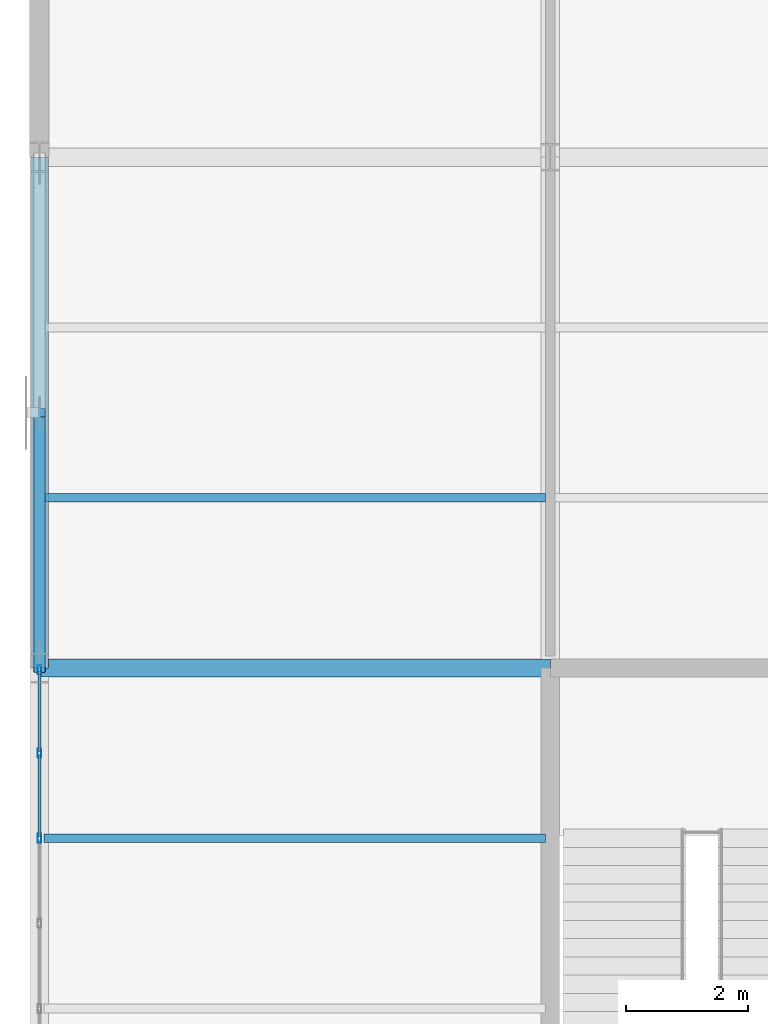
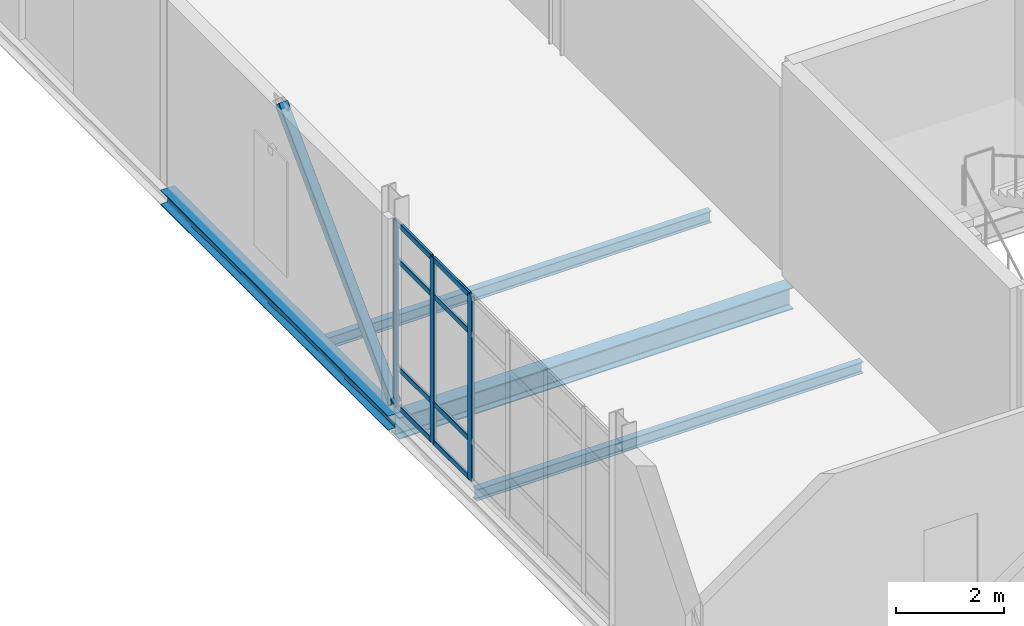
# One storey, part 61 of 145: 12 members, 4 beams, 1 element without a shape of its own.
"""IFC4 building model written with IfcOpenShell, lengths in metres."""

from ifc_helpers import new_model, si_unit, direction, frame, origin, origin_2d, place, context, subcontext, project, spatial, hollow_rectangle, i_section, extrude, material, layer, layer_set, material_profile, profile_set, type_object, element, aggregate, save


model = new_model("IFC4")

# Units and contexts
model_context = context("Model", 3, precision=1e-05, world=origin(), true_north=direction((0.0, 1.0)))
body_context = subcontext(model_context, "Body", "Model", "MODEL_VIEW")
ifc_project = project(units=[si_unit("LENGTHUNIT", "METRE"), si_unit("AREAUNIT", "SQUARE_METRE"), si_unit("VOLUMEUNIT", "CUBIC_METRE"), si_unit("PLANEANGLEUNIT", "RADIAN"), si_unit("MASSUNIT", "GRAM", prefix="KILO")], contexts=[model_context])

# Site, building, storey
site_placement = place(None, origin())
site = spatial("IfcSite", under=ifc_project, at=site_placement, CompositionType="ELEMENT")
building_placement = place(site_placement, origin())
building = spatial("IfcBuilding", under=site, at=building_placement, Name="Qalvenar Corner Mobility Hub", CompositionType="ELEMENT")
storey_placement = place(building_placement, origin())
storey = spatial("IfcBuildingStorey", under=building, at=storey_placement, Name="L00", CompositionType="ELEMENT", Elevation=0.0)

# Beams
ifc_material_1 = material(Name="Steel S355", Category="steel")
ifc_material_profile_1 = material_profile(ifc_material_1, i_section(OverallWidth=0.300048828125, OverallDepth=0.489990234375, WebThickness=0.011962890625, FlangeThickness=0.02294921875, FilletRadius=0.027099609375, at=origin_2d()), Name="HEA500")
ifc_profile_set_1 = profile_set([ifc_material_profile_1], Name="Steel S355")
beam_type_1 = type_object("IfcBeamType", Name="BM-HEA500", PredefinedType="BEAM", material=ifc_profile_set_1)
beam_1_placement = place(storey_placement, frame((0.0, 67.199951171875, -0.465087890625), z_axis=(1.0, 0.0, 0.0), x_axis=(0.0, 1.0, 0.0)))
element("IfcBeam", 1, at=beam_1_placement, inside=storey, type_object=beam_type_1, Name="Primary Steel Girder GX-0431", PredefinedType="BEAM", context=body_context, shape_type="SweptSolid", body=[
    extrude(i_section(OverallWidth=0.300048828125, OverallDepth=0.489990234375, WebThickness=0.011962890625, FlangeThickness=0.02294921875, FilletRadius=0.027099609375, at=origin_2d()), origin(), (0.0, 0.0, 1.0), 8.39990234375),
])
ifc_material_profile_2 = material_profile(ifc_material_1, i_section(OverallWidth=0.14599609375, OverallDepth=0.258056640625, WebThickness=0.006103515625, FlangeThickness=0.009033203125, FilletRadius=0.011962890625, at=origin_2d()), Name="W250x32.7")
ifc_profile_set_2 = profile_set([ifc_material_profile_2], Name="Steel S355")
beam_type_2 = type_object("IfcBeamType", Name="BM-JST250", PredefinedType="JOIST", material=ifc_profile_set_2)
for number, where, z_axis, x_axis, name in (
    (2, (0.077880859375, 64.39990234375, -0.34912109375), (1.0, 0.0, 0.0), (0.0, 1.0, 0.0), "Composite Floor Joist J-0482"),
    (3, (0.077880859375, 70.0, -0.34912109375), (1.0, 0.0, 0.0), (0.0, 1.0, 0.0), "Composite Floor Joist J-0483"),
):
    element("IfcBeam", number, at=place(storey_placement, frame(where, z_axis=z_axis, x_axis=x_axis)), inside=storey, type_object=beam_type_2, Name=name, PredefinedType="JOIST", context=body_context, shape_type="SweptSolid", body=[
        extrude(i_section(OverallWidth=0.14599609375, OverallDepth=0.258056640625, WebThickness=0.006103515625, FlangeThickness=0.009033203125, FilletRadius=0.011962890625, at=origin_2d()), origin(), (0.0, 0.0, 1.0), 8.244140625),
    ])
ifc_material_profile_3 = material_profile(ifc_material_1, i_section(OverallWidth=0.300048828125, OverallDepth=0.330078125, WebThickness=0.009521484375, FlangeThickness=0.0166015625, FilletRadius=0.027099609375, at=origin_2d()), Name="HEA340")
ifc_profile_set_3 = profile_set([ifc_material_profile_3], Name="Steel S355")
beam_type_3 = type_object("IfcBeamType", Name="BM-SPN340", PredefinedType="SPANDREL", material=ifc_profile_set_3)
beam_2_placement = place(storey_placement, frame((0.0, 67.199951171875, -0.385009765625), z_axis=(0.0, 1.0, 0.0), x_axis=(-1.0, 0.0, 0.0)))
element("IfcBeam", 4, at=beam_2_placement, inside=storey, type_object=beam_type_3, Name="Primary Steel Girder GY-0450", PredefinedType="SPANDREL", context=body_context, shape_type="SweptSolid", body=[
    extrude(i_section(OverallWidth=0.300048828125, OverallDepth=0.330078125, WebThickness=0.009521484375, FlangeThickness=0.0166015625, FilletRadius=0.027099609375, at=origin_2d()), origin(), (0.0, 0.0, 1.0), 8.400146484375),
])

# Member
ifc_material_profile_4 = material_profile(ifc_material_1, hollow_rectangle(XDim=0.199951171875, YDim=0.199951171875, WallThickness=0.008056640625, InnerFilletRadius=0.008056640625, OuterFilletRadius=0.01611328125, at=origin_2d()), Name="SHS200x200x8")
ifc_profile_set_4 = profile_set([ifc_material_profile_4], Name="Steel S355")
member_type_1 = type_object("IfcMemberType", Name="BR-RHS200", PredefinedType="BRACE", material=ifc_profile_set_4)
member_1_placement = place(storey_placement, frame((0.0, 67.199951171875, 0.02001953125), z_axis=(0.0, 0.705423542875, 0.708786022124), x_axis=(-1.0, 0.0, 0.0)))
element("IfcMember", 5, at=member_1_placement, inside=storey, type_object=member_type_1, Name="Chevron Lateral Brace BR-047", PredefinedType="BRACE", context=body_context, shape_type="SweptSolid", body=[
    extrude(hollow_rectangle(XDim=0.199951171875, YDim=0.199951171875, WallThickness=0.008056640625, InnerFilletRadius=0.008056640625, OuterFilletRadius=0.01611328125, at=origin_2d()), origin(), (0.0, 0.0, 1.0), 5.953857421875),
])

# Curtain wall, members
ifc_material_2 = material(Name="Anodised Aluminium and Low-E Glazing", Category="aluminium")
ifc_layer = layer(ifc_material_2, 0.14990234375)
ifc_layer_set = layer_set([ifc_layer], Name="Anodised Aluminium and Low-E Glazing")
curtain_wall_type = type_object("IfcCurtainWallType", Name="CW-CYC-84X45", PredefinedType="NOTDEFINED", material=ifc_layer_set)
curtain_wall_placement = place(storey_placement, origin())
curtain_wall = element("IfcCurtainWall", 6, at=curtain_wall_placement, inside=storey, type_object=curtain_wall_type, Name="Glazed Curtain Wall CW-V5-L00-W2", PredefinedType="NOTDEFINED")
ifc_material_3 = material(Name="Anodised Aluminium 6063-T6", Category="aluminium")
ifc_material_profile_5 = material_profile(ifc_material_3, hollow_rectangle(XDim=0.06005859375, YDim=0.14990234375, WallThickness=0.00390625, InnerFilletRadius=0.00390625, OuterFilletRadius=0.008056640625, at=origin_2d()), Name="RHS150x60x4")
ifc_profile_set_5 = profile_set([ifc_material_profile_5], Name="Anodised Aluminium 6063-T6")
member_type_2 = type_object("IfcMemberType", Name="CW-MUL150", PredefinedType="MULLION", material=ifc_profile_set_5)
member_2_placement = place(storey_placement, frame((0.0, 67.169921875, 0.0), z_axis=(0.0, 0.0, 1.0), x_axis=(1.0, 0.0, 0.0)))
member_2 = element("IfcMember", 7, at=member_2_placement, type_object=member_type_2, Name="CW-07 mullion 1", PredefinedType="MULLION", context=body_context, shape_type="SweptSolid", body=[
    extrude(hollow_rectangle(XDim=0.06005859375, YDim=0.14990234375, WallThickness=0.00390625, InnerFilletRadius=0.00390625, OuterFilletRadius=0.008056640625, at=origin_2d()), origin(), (0.0, 0.0, 1.0), 4.169921875),
])
member_3_placement = place(storey_placement, frame((0.0, 65.800048828125, 0.0), z_axis=(0.0, 0.0, 1.0), x_axis=(1.0, 0.0, 0.0)))
member_3 = element("IfcMember", 8, at=member_3_placement, type_object=member_type_2, Name="CW-07 mullion 2", PredefinedType="MULLION", context=body_context, shape_type="SweptSolid", body=[
    extrude(hollow_rectangle(XDim=0.06005859375, YDim=0.14990234375, WallThickness=0.00390625, InnerFilletRadius=0.00390625, OuterFilletRadius=0.008056640625, at=origin_2d()), origin(), (0.0, 0.0, 1.0), 4.169921875),
])
member_4_placement = place(storey_placement, frame((0.0, 64.39990234375, 0.0), z_axis=(0.0, 0.0, 1.0), x_axis=(1.0, 0.0, 0.0)))
member_4 = element("IfcMember", 9, at=member_4_placement, type_object=member_type_2, Name="CW-07 mullion 3", PredefinedType="MULLION", context=body_context, shape_type="SweptSolid", body=[
    extrude(hollow_rectangle(XDim=0.06005859375, YDim=0.14990234375, WallThickness=0.00390625, InnerFilletRadius=0.00390625, OuterFilletRadius=0.008056640625, at=origin_2d()), origin(), (0.0, 0.0, 1.0), 4.169921875),
])
ifc_material_profile_6 = material_profile(ifc_material_3, hollow_rectangle(XDim=0.054931640625, YDim=0.1201171875, WallThickness=0.00341796875, InnerFilletRadius=0.00341796875, OuterFilletRadius=0.007080078125, at=origin_2d()), Name="RHS120x55x3.5")
ifc_profile_set_6 = profile_set([ifc_material_profile_6], Name="Anodised Aluminium 6063-T6")
member_type_3 = type_object("IfcMemberType", Name="CW-TRN120", PredefinedType="USERDEFINED", material=ifc_profile_set_6)
member_5_placement = place(storey_placement, frame((0.0, 67.139892578125, 0.027587890625), z_axis=(0.0, -1.0, 0.0), x_axis=(1.0, 0.0, 0.0)))
member_5 = element("IfcMember", 10, at=member_5_placement, type_object=member_type_3, Name="CW-07 transom 1.1", ObjectType="TRANSOM", PredefinedType="USERDEFINED", context=body_context, shape_type="SweptSolid", body=[
    extrude(hollow_rectangle(XDim=0.054931640625, YDim=0.1201171875, WallThickness=0.00341796875, InnerFilletRadius=0.00341796875, OuterFilletRadius=0.007080078125, at=origin_2d()), origin(), (0.0, 0.0, 1.0), 1.309814453125),
])
member_6_placement = place(storey_placement, frame((0.0, 67.139892578125, 0.89990234375), z_axis=(0.0, -1.0, 0.0), x_axis=(1.0, 0.0, 0.0)))
member_6 = element("IfcMember", 11, at=member_6_placement, type_object=member_type_3, Name="CW-07 transom 1.2", ObjectType="TRANSOM", PredefinedType="USERDEFINED", context=body_context, shape_type="SweptSolid", body=[
    extrude(hollow_rectangle(XDim=0.054931640625, YDim=0.1201171875, WallThickness=0.00341796875, InnerFilletRadius=0.00341796875, OuterFilletRadius=0.007080078125, at=origin_2d()), origin(), (0.0, 0.0, 1.0), 1.309814453125),
])
member_7_placement = place(storey_placement, frame((0.0, 67.139892578125, 3.320068359375), z_axis=(0.0, -1.0, 0.0), x_axis=(1.0, 0.0, 0.0)))
member_7 = element("IfcMember", 12, at=member_7_placement, type_object=member_type_3, Name="CW-07 transom 1.3", ObjectType="TRANSOM", PredefinedType="USERDEFINED", context=body_context, shape_type="SweptSolid", body=[
    extrude(hollow_rectangle(XDim=0.054931640625, YDim=0.1201171875, WallThickness=0.00341796875, InnerFilletRadius=0.00341796875, OuterFilletRadius=0.007080078125, at=origin_2d()), origin(), (0.0, 0.0, 1.0), 1.309814453125),
])
member_8_placement = place(storey_placement, frame((0.0, 67.139892578125, 4.142578125), z_axis=(0.0, -1.0, 0.0), x_axis=(1.0, 0.0, 0.0)))
member_8 = element("IfcMember", 13, at=member_8_placement, type_object=member_type_3, Name="CW-07 transom 1.4", ObjectType="TRANSOM", PredefinedType="USERDEFINED", context=body_context, shape_type="SweptSolid", body=[
    extrude(hollow_rectangle(XDim=0.054931640625, YDim=0.1201171875, WallThickness=0.00341796875, InnerFilletRadius=0.00341796875, OuterFilletRadius=0.007080078125, at=origin_2d()), origin(), (0.0, 0.0, 1.0), 1.309814453125),
])
member_9_placement = place(storey_placement, frame((0.0, 65.77001953125, 0.027587890625), z_axis=(0.0, -1.0, 0.0), x_axis=(1.0, 0.0, 0.0)))
member_9 = element("IfcMember", 14, at=member_9_placement, type_object=member_type_3, Name="CW-07 transom 2.1", ObjectType="TRANSOM", PredefinedType="USERDEFINED", context=body_context, shape_type="SweptSolid", body=[
    extrude(hollow_rectangle(XDim=0.054931640625, YDim=0.1201171875, WallThickness=0.00341796875, InnerFilletRadius=0.00341796875, OuterFilletRadius=0.007080078125, at=origin_2d()), origin(), (0.0, 0.0, 1.0), 1.340087890625),
])
member_10_placement = place(storey_placement, frame((0.0, 65.77001953125, 0.89990234375), z_axis=(0.0, -1.0, 0.0), x_axis=(1.0, 0.0, 0.0)))
member_10 = element("IfcMember", 15, at=member_10_placement, type_object=member_type_3, Name="CW-07 transom 2.2", ObjectType="TRANSOM", PredefinedType="USERDEFINED", context=body_context, shape_type="SweptSolid", body=[
    extrude(hollow_rectangle(XDim=0.054931640625, YDim=0.1201171875, WallThickness=0.00341796875, InnerFilletRadius=0.00341796875, OuterFilletRadius=0.007080078125, at=origin_2d()), origin(), (0.0, 0.0, 1.0), 1.340087890625),
])
member_11_placement = place(storey_placement, frame((0.0, 65.77001953125, 3.320068359375), z_axis=(0.0, -1.0, 0.0), x_axis=(1.0, 0.0, 0.0)))
member_11 = element("IfcMember", 16, at=member_11_placement, type_object=member_type_3, Name="CW-07 transom 2.3", ObjectType="TRANSOM", PredefinedType="USERDEFINED", context=body_context, shape_type="SweptSolid", body=[
    extrude(hollow_rectangle(XDim=0.054931640625, YDim=0.1201171875, WallThickness=0.00341796875, InnerFilletRadius=0.00341796875, OuterFilletRadius=0.007080078125, at=origin_2d()), origin(), (0.0, 0.0, 1.0), 1.340087890625),
])
member_12_placement = place(storey_placement, frame((0.0, 65.77001953125, 4.142578125), z_axis=(0.0, -1.0, 0.0), x_axis=(1.0, 0.0, 0.0)))
member_12 = element("IfcMember", 17, at=member_12_placement, type_object=member_type_3, Name="CW-07 transom 2.4", ObjectType="TRANSOM", PredefinedType="USERDEFINED", context=body_context, shape_type="SweptSolid", body=[
    extrude(hollow_rectangle(XDim=0.054931640625, YDim=0.1201171875, WallThickness=0.00341796875, InnerFilletRadius=0.00341796875, OuterFilletRadius=0.007080078125, at=origin_2d()), origin(), (0.0, 0.0, 1.0), 1.340087890625),
])
aggregate(curtain_wall, [member_2, member_3, member_4, member_5, member_6, member_7, member_8, member_9, member_10, member_11, member_12])

save(model, "model.ifc")
